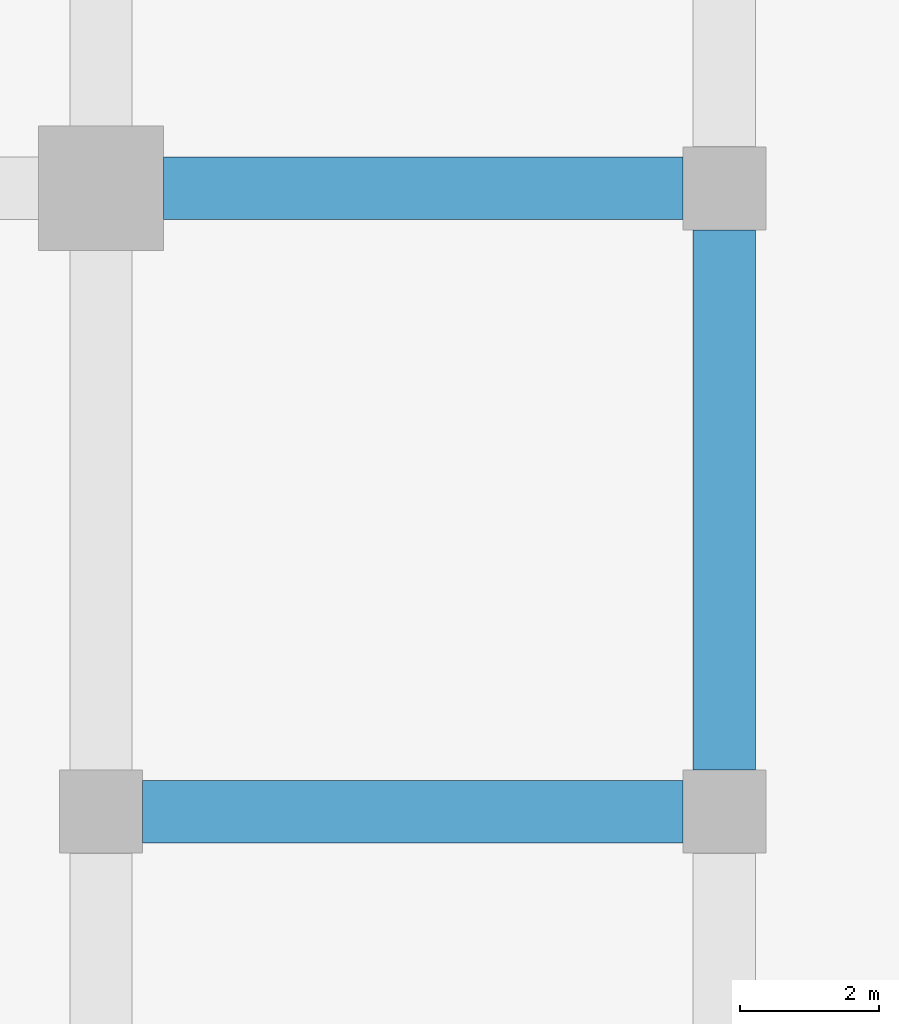
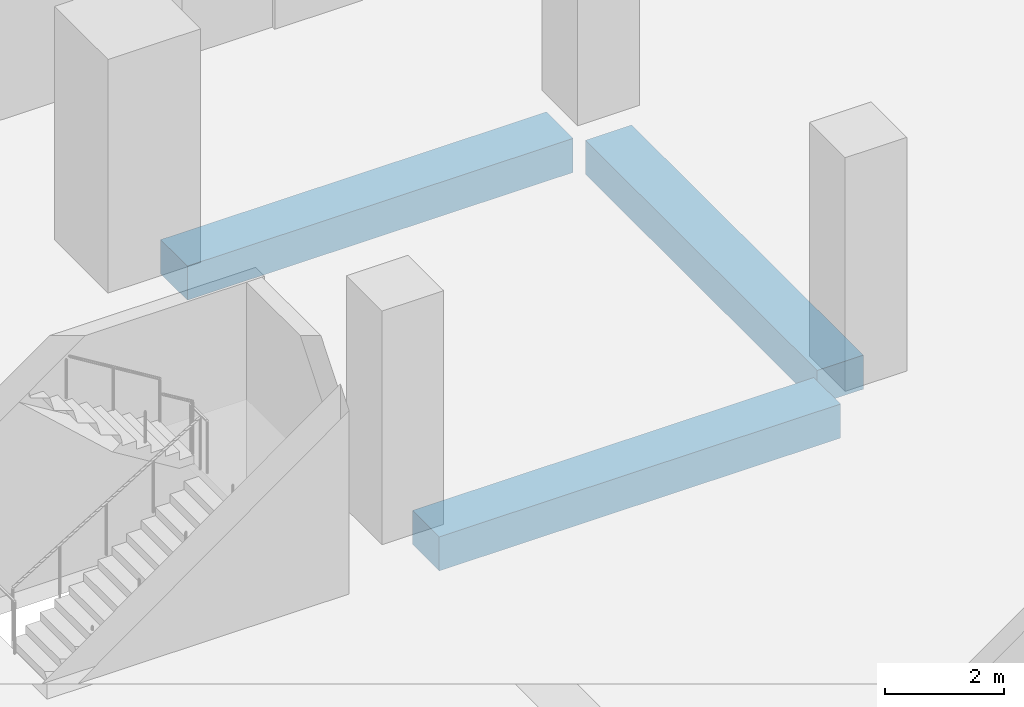
# One storey, part 15 of 42: 3 beams.
"""IFC4 building model written with IfcOpenShell, lengths in metres."""

from ifc_helpers import new_model, si_unit, direction, frame, origin, origin_2d, place, context, subcontext, project, spatial, rectangle, extrude, material, material_profile, profile_set, type_object, element, save


model = new_model("IFC4")

# Units and contexts
model_context = context("Model", 3, precision=1e-05, world=origin(), true_north=direction((0.0, 1.0)))
body_context = subcontext(model_context, "Body", "Model", "MODEL_VIEW")
ifc_project = project(units=[si_unit("LENGTHUNIT", "METRE"), si_unit("AREAUNIT", "SQUARE_METRE"), si_unit("VOLUMEUNIT", "CUBIC_METRE"), si_unit("PLANEANGLEUNIT", "RADIAN"), si_unit("MASSUNIT", "GRAM", prefix="KILO")], contexts=[model_context])

# Site, building, storey
site_placement = place(None, origin())
site = spatial("IfcSite", under=ifc_project, at=site_placement, CompositionType="ELEMENT")
building_placement = place(site_placement, origin())
building = spatial("IfcBuilding", under=site, at=building_placement, Name="Plateau Cross Towers", CompositionType="ELEMENT")
storey_placement = place(building_placement, frame((0.0, 0.0, 8.0)))
storey = spatial("IfcBuildingStorey", under=building, at=storey_placement, Name="L01", CompositionType="ELEMENT", Elevation=8.0)

# Beams
ifc_material = material(Name="Concrete C50/60", Category="concrete")
ifc_material_profile = material_profile(ifc_material, rectangle(XDim=0.89990234375, YDim=0.699951171875, at=origin_2d()), Name="RC 900x700")
ifc_profile_set = profile_set([ifc_material_profile], Name="Concrete C50/60")
beam_type = type_object("IfcBeamType", Name="Podium band beam RC 900x700", PredefinedType="BEAM", material=ifc_profile_set)
beam_1_placement = place(storey_placement, frame((54.60009765625, 9.0, -0.699951171875), z_axis=(1.0, 0.0, 0.0), x_axis=(0.0, 1.0, 0.0)))
element("IfcBeam", 1, at=beam_1_placement, inside=storey, type_object=beam_type, Name="PB27@L01", PredefinedType="BEAM", context=body_context, shape_type="SweptSolid", body=[
    extrude(rectangle(XDim=0.89990234375, YDim=0.699951171875, at=origin_2d()), origin(), (0.0, 0.0, 1.0), 7.7998046875),
])
beam_2_placement = place(storey_placement, frame((54.89990234375, 18.0, -0.699951171875), z_axis=(1.0, 0.0, 0.0), x_axis=(0.0, 1.0, 0.0)))
element("IfcBeam", 2, at=beam_2_placement, inside=storey, type_object=beam_type, Name="PB31@L01", PredefinedType="BEAM", context=body_context, shape_type="SweptSolid", body=[
    extrude(rectangle(XDim=0.89990234375, YDim=0.699951171875, at=origin_2d()), origin(), (0.0, 0.0, 1.0), 7.5),
])
beam_3_placement = place(storey_placement, frame((63.0, 9.60009765625, -0.699951171875), z_axis=(0.0, 1.0, 0.0), x_axis=(-1.0, 0.0, 0.0)))
element("IfcBeam", 3, at=beam_3_placement, inside=storey, type_object=beam_type, Name="PB151@L01", PredefinedType="BEAM", context=body_context, shape_type="SweptSolid", body=[
    extrude(rectangle(XDim=0.89990234375, YDim=0.699951171875, at=origin_2d()), origin(), (0.0, 0.0, 1.0), 7.7998046875),
])

save(model, "model.ifc")
